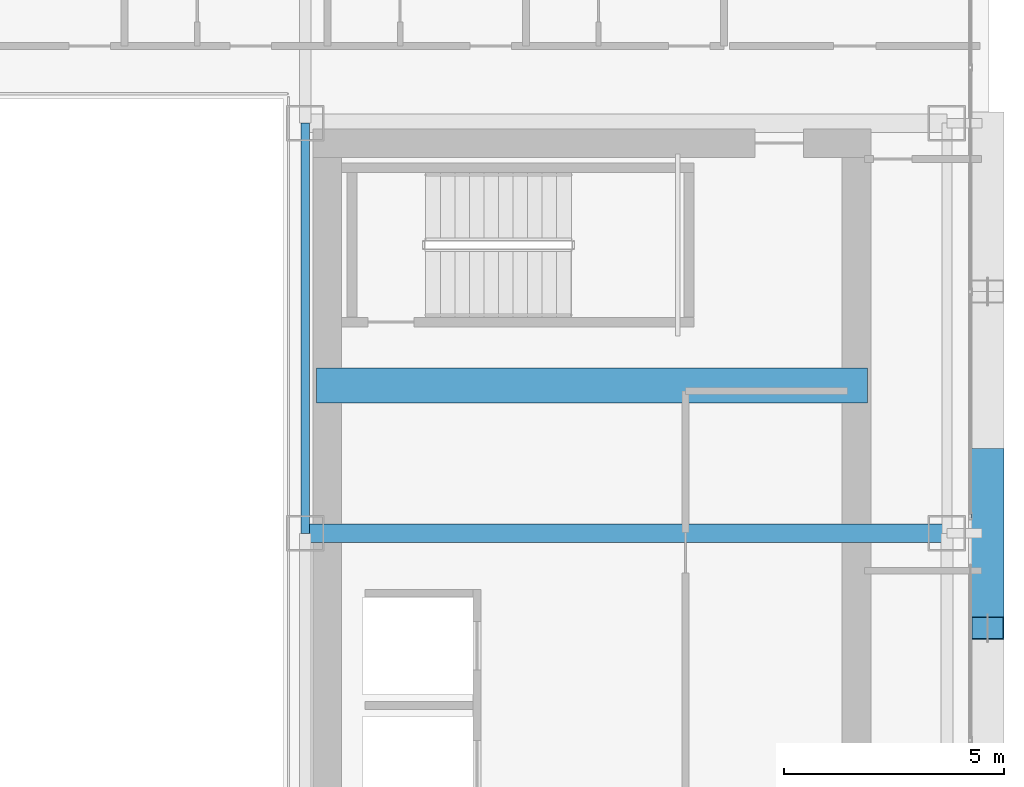
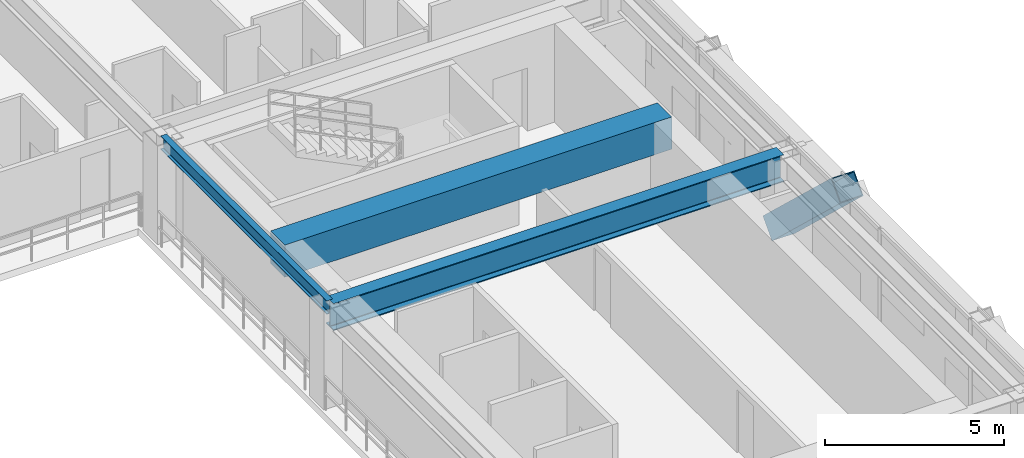
# One storey, part 14 of 36: 3 beams, 1 member.
"""IFC4 building model written with IfcOpenShell, lengths in metres."""

import ifcopenshell
import ifcopenshell.guid

model = None  # the IFC model being written
_history = None  # IfcOwnerHistory: only IFC2X3 demands one
_inside = {}  # id of a spatial element -> (the spatial element, [elements in it])
_under = {}  # id of a project, library or spatial element -> (it, [spatial elements below it])
_declared = {}  # id of a project -> (the project, [libraries it declares])
_typed = {}  # id of a type object -> (the type object, [elements of that type])
_made_of = {}  # id of a material, layer set ... -> (it, [elements and type objects made of it])


def new_model(schema):
    """Start an empty IFC model of exactly this schema.

    Asked for "IFC4X3", IfcOpenShell would pick the latest addendum, in which some entities
    have other attributes; the version numbers below select the first issue.
    IFC2X3 requires an IfcOwnerHistory on every rooted entity: one is made here for all.
    """
    global model, _history
    if schema == "IFC4X3":
        model = ifcopenshell.file(schema_version=(4, 3, 0, 0))
    else:
        model = ifcopenshell.file(schema=schema)
    _inside.clear()
    _under.clear()
    _declared.clear()
    _typed.clear()
    _made_of.clear()
    _history = None
    if model.schema == "IFC2X3":
        org = make("IfcOrganization", Name="unknown")
        user = make(
            "IfcPersonAndOrganization",
            ThePerson=make("IfcPerson", FamilyName="unknown"),
            TheOrganization=org,
        )
        app = make(
            "IfcApplication",
            ApplicationDeveloper=org,
            Version="unknown",
            ApplicationFullName="unknown",
            ApplicationIdentifier="unknown",
        )
        _history = make(
            "IfcOwnerHistory",
            OwningUser=user,
            OwningApplication=app,
            ChangeAction="ADDED",
            CreationDate=0,
        )
    return model


def make(cls, **values):
    """One entity of the class cls with the attributes given. An attribute that is None is left unset."""
    return model.create_entity(
        cls, **{name: value for name, value in values.items() if value is not None}
    )


def rooted(cls, **values):
    """An entity with a GlobalId (a new one), such as an element, a storey or a relation."""
    return make(cls, GlobalId=ifcopenshell.guid.new(), OwnerHistory=_history, **values)


def si_unit(unit_type, name, prefix=None):
    """IfcSIUnit, for example si_unit("LENGTHUNIT", "METRE", prefix="MILLI")."""
    return make("IfcSIUnit", UnitType=unit_type, Prefix=prefix, Name=name)


def assignment(units):
    """IfcUnitAssignment: the units of a project."""
    return None if units is None else make("IfcUnitAssignment", Units=units)


def point(xyz):
    """IfcCartesianPoint."""
    return None if xyz is None else make("IfcCartesianPoint", Coordinates=xyz)


def direction(xyz):
    """IfcDirection."""
    return None if xyz is None else make("IfcDirection", DirectionRatios=xyz)


def frame(location, z_axis=None, x_axis=None):
    """IfcAxis2Placement3D, a coordinate frame: its origin and axes. An axis left out is left unset."""
    return make(
        "IfcAxis2Placement3D",
        Location=point(location),
        Axis=direction(z_axis),
        RefDirection=direction(x_axis),
    )


def frame_2d(location, x_axis=None):
    """IfcAxis2Placement2D, a coordinate frame in the plane: its origin and x axis."""
    return make(
        "IfcAxis2Placement2D", Location=point(location), RefDirection=direction(x_axis)
    )


def origin():
    """The frame at (0, 0, 0) with its axes left unset."""
    return frame((0.0, 0.0, 0.0))


def origin_2d():
    """The frame at (0, 0) in the plane with its x axis left unset."""
    return frame_2d((0.0, 0.0))


def place(relative_to, where):
    """IfcLocalPlacement: puts the frame where relative to a parent placement (None: the world)."""
    return make(
        "IfcLocalPlacement", PlacementRelTo=relative_to, RelativePlacement=where
    )


def context(
    kind, dimensions, precision=None, world=None, true_north=None, identifier=None
):
    """IfcGeometricRepresentationContext, for example the 3D "Model" context."""
    return make(
        "IfcGeometricRepresentationContext",
        ContextIdentifier=identifier,
        ContextType=kind,
        CoordinateSpaceDimension=dimensions,
        Precision=precision,
        WorldCoordinateSystem=world,
        TrueNorth=true_north,
    )


def subcontext(parent, identifier, kind, view, scale=None):
    """IfcGeometricRepresentationSubContext, for example "Body" below "Model"."""
    return make(
        "IfcGeometricRepresentationSubContext",
        ContextIdentifier=identifier,
        ContextType=kind,
        ParentContext=parent,
        TargetScale=scale,
        TargetView=view,
    )


def project(units=None, contexts=None):
    """IfcProject with its units and contexts."""
    return rooted(
        "IfcProject",
        Name="project",
        RepresentationContexts=contexts,
        UnitsInContext=assignment(units),
    )


def spatial(cls, under=None, at=None, **own):
    """A site, building, storey or space (cls), placed at a placement, below another one or the project."""
    s = rooted(cls, ObjectPlacement=at, **own)
    if under is not None:
        _under.setdefault(under.id(), (under, []))[1].append(s)
    return s


def profile(cls, at=None, kind="AREA", **sizes):
    """A parametric profile (cls). Its sizes go by their IFC names, for example OverallWidth=200.0."""
    return make(cls, ProfileType=kind, Position=at, **sizes)


def rectangle(**sizes):
    """IfcRectangleProfileDef."""
    return profile("IfcRectangleProfileDef", **sizes)


def hollow_rectangle(**sizes):
    """IfcRectangleHollowProfileDef."""
    return profile("IfcRectangleHollowProfileDef", **sizes)


def i_section(**sizes):
    """IfcIShapeProfileDef."""
    return profile("IfcIShapeProfileDef", **sizes)


def extrude(swept, where, along, depth):
    """IfcExtrudedAreaSolid: the profile swept, set in the frame where, extruded along a direction by depth."""
    return make(
        "IfcExtrudedAreaSolid",
        SweptArea=swept,
        Position=where,
        ExtrudedDirection=direction(along),
        Depth=depth,
    )


def shape(context_of_items, identifier, shape_type, items):
    """IfcShapeRepresentation: the items that make up one representation, for example the "Body"."""
    return make(
        "IfcShapeRepresentation",
        ContextOfItems=context_of_items,
        RepresentationIdentifier=identifier,
        RepresentationType=shape_type,
        Items=items,
    )


def source(mapping_origin, context_of_items, identifier, shape_type, items):
    """IfcRepresentationMap: a shape defined once, which mapped items show again and again."""
    return make(
        "IfcRepresentationMap",
        MappingOrigin=mapping_origin,
        MappedRepresentation=shape(context_of_items, identifier, shape_type, items),
    )


def transform(
    local_origin,
    x_axis=None,
    y_axis=None,
    z_axis=None,
    scale=None,
    scale2=None,
    scale3=None,
    uniform=True,
):
    """IfcCartesianTransformationOperator3D, or its non-uniform kind. x_axis, y_axis, z_axis: its Axis1, 2, 3."""
    if uniform:
        return make(
            "IfcCartesianTransformationOperator3D",
            Axis1=direction(x_axis),
            Axis2=direction(y_axis),
            LocalOrigin=point(local_origin),
            Scale=scale,
            Axis3=direction(z_axis),
        )
    return make(
        "IfcCartesianTransformationOperator3DnonUniform",
        Axis1=direction(x_axis),
        Axis2=direction(y_axis),
        LocalOrigin=point(local_origin),
        Scale=scale,
        Axis3=direction(z_axis),
        Scale2=scale2,
        Scale3=scale3,
    )


def mapped(mapping_source, mapping_target):
    """IfcMappedItem: shows the shape of a source again, moved by a transform."""
    return make(
        "IfcMappedItem", MappingSource=mapping_source, MappingTarget=mapping_target
    )


def material(Name=None, Category=None):
    """IfcMaterial."""
    return make("IfcMaterial", Name=Name, Category=Category)


def material_profile(
    of_material, cross_section, Name=None, Category=None, Priority=None
):
    """IfcMaterialProfile: a cross section and its material."""
    return make(
        "IfcMaterialProfile",
        Name=Name,
        Material=of_material,
        Profile=cross_section,
        Priority=Priority,
        Category=Category,
    )


def profile_set(profiles, Name=None, composite=None):
    """IfcMaterialProfileSet."""
    return make(
        "IfcMaterialProfileSet",
        Name=Name,
        MaterialProfiles=profiles,
        CompositeProfile=composite,
    )


def made_of(thing, what):
    """Note that an element or type object is made of a material, layer set ...; save() writes the relation."""
    if what is not None:
        _made_of.setdefault(what.id(), (what, []))[1].append(thing)
    return thing


def type_object(cls, material=None, **own):
    """A type object (cls), such as IfcWallType, which elements share."""
    return made_of(rooted(cls, **own), material)


def element(
    cls,
    number,
    at=None,
    inside=None,
    cuts=None,
    type_object=None,
    material=None,
    context=None,
    identifier="Body",
    shape_type=None,
    held_by="IfcProductDefinitionShape",
    body=None,
    shapes=None,
    **own,
):
    """One element of the class cls, such as IfcWall. Its Tag is "e" and its number.

    at: its placement. inside: the storey or other place that contains it. cuts: it is an
    opening in that element (IfcRelVoidsElement). A single representation is given by context,
    identifier, shape_type and body (its items); several are given by shapes. held_by: the class
    of the entity that holds the representations. save() writes the other relations.
    """
    e = rooted(cls, Tag="e%d" % number, ObjectPlacement=at, **own)
    if body is not None:
        shapes = [shape(context, identifier, shape_type, body)]
    if shapes is not None:
        e.Representation = make(held_by, Representations=shapes)
    if inside is not None:
        _inside.setdefault(inside.id(), (inside, []))[1].append(e)
    if cuts is not None:
        rooted(
            "IfcRelVoidsElement", RelatingBuildingElement=cuts, RelatedOpeningElement=e
        )
    if type_object is not None:
        _typed.setdefault(type_object.id(), (type_object, []))[1].append(e)
    return made_of(e, material)


def aggregate(whole, parts):
    """IfcRelAggregates: a whole, such as a stair, and the parts it consists of."""
    return rooted("IfcRelAggregates", RelatingObject=whole, RelatedObjects=parts)


def save(model, path):
    """Write the relations noted so far, then the file.

    IfcRelAggregates (storeys below a building ...), IfcRelContainedInSpatialStructure (elements
    in a storey), IfcRelDefinesByType, IfcRelAssociatesMaterial and IfcRelDeclares: one each for
    every whole, place, type object, material and project.
    """
    for whole, parts in _under.values():
        aggregate(whole, parts)
    for where, things in _inside.values():
        rooted(
            "IfcRelContainedInSpatialStructure",
            RelatedElements=things,
            RelatingStructure=where,
        )
    for kind, things in _typed.values():
        rooted("IfcRelDefinesByType", RelatedObjects=things, RelatingType=kind)
    for what, things in _made_of.values():
        rooted("IfcRelAssociatesMaterial", RelatedObjects=things, RelatingMaterial=what)
    for by, libraries in _declared.values():
        rooted("IfcRelDeclares", RelatingContext=by, RelatedDefinitions=libraries)
    model.write(path)


model = new_model("IFC4")

# Units and contexts
model_context = context("Model", 3, precision=1e-05, world=origin(), true_north=direction((0.0, 1.0)))
body_context = subcontext(model_context, "Body", "Model", "MODEL_VIEW")
ifc_project = project(units=[si_unit("LENGTHUNIT", "METRE"), si_unit("AREAUNIT", "SQUARE_METRE"), si_unit("VOLUMEUNIT", "CUBIC_METRE"), si_unit("PLANEANGLEUNIT", "RADIAN"), si_unit("MASSUNIT", "GRAM", prefix="KILO")], contexts=[model_context])

# Site, building, storey
site_placement = place(None, origin())
site = spatial("IfcSite", under=ifc_project, at=site_placement, CompositionType="ELEMENT")
building_placement = place(site_placement, origin())
building = spatial("IfcBuilding", under=site, at=building_placement, Name="Ocotamira Hotel", CompositionType="ELEMENT")
storey_placement = place(building_placement, frame((0.0, 0.0, 133.199951171875)))
storey = spatial("IfcBuildingStorey", under=building, at=storey_placement, Name="L33", CompositionType="ELEMENT", Elevation=133.199951171875)

# Beams
ifc_material_1 = material(Name="Concrete C60/75", Category="concrete")
ifc_material_profile_1 = material_profile(ifc_material_1, rectangle(XDim=0.800048828125, YDim=1.10009765625, at=origin_2d()), Name="RC800X1100")
ifc_profile_set_1 = profile_set([ifc_material_profile_1], Name="Concrete C60/75")
beam_type_1 = type_object("IfcBeamType", Name="BM-LINK-RC800", PredefinedType="LINTEL", material=ifc_profile_set_1)
shared_shape_1 = source(origin(), body_context, "Body", "SweptSolid", [
    extrude(rectangle(XDim=0.800048828125, YDim=1.10009765625, at=origin_2d()), origin(), (0.0, 0.0, 1.0), 12.5),
])
beam_1_placement = place(storey_placement, frame((40.75, 31.5, 2.81005859375), z_axis=(1.0, 0.0, 0.0), x_axis=(0.0, 1.0, 0.0)))
element("IfcBeam", 1, at=beam_1_placement, inside=storey, type_object=beam_type_1, Name="L33 East Core Coupling Beam", PredefinedType="LINTEL", context=body_context, shape_type="MappedRepresentation", body=[
    mapped(shared_shape_1, transform((0.0, 0.0, 0.0), scale=1.0)),
])
ifc_material_2 = material(Name="Steel ASTM A992 Grade 50", Category="steel")
ifc_material_profile_2 = material_profile(ifc_material_2, i_section(OverallWidth=0.41796875, OverallDepth=0.927001953125, WebThickness=0.019287109375, FlangeThickness=0.031982421875, FilletRadius=0.02392578125, at=origin_2d()), Name="W36X231")
ifc_profile_set_2 = profile_set([ifc_material_profile_2], Name="Steel ASTM A992 Grade 50")
beam_type_2 = type_object("IfcBeamType", Name="BM-GIRD-W36X231", PredefinedType="BEAM", material=ifc_profile_set_2)
shared_shape_2 = source(origin(), body_context, "Body", "SweptSolid", [
    extrude(i_section(OverallWidth=0.41796875, OverallDepth=0.927001953125, WebThickness=0.019287109375, FlangeThickness=0.031982421875, FilletRadius=0.02392578125, at=origin_2d()), origin(), (0.0, 0.0, 1.0), 14.550048828125),
])
beam_2_placement = place(storey_placement, frame((40.5, 28.14990234375, 2.896484375), z_axis=(1.0, 0.0, 0.0), x_axis=(0.0, 1.0, 0.0)))
element("IfcBeam", 2, at=beam_2_placement, inside=storey, type_object=beam_type_2, Name="L33 Girder Y28.15 X40.5-55.05", PredefinedType="BEAM", context=body_context, shape_type="MappedRepresentation", body=[
    mapped(shared_shape_2, transform((0.0, 0.0, 0.0), scale=1.0)),
])
ifc_material_profile_3 = material_profile(ifc_material_2, i_section(OverallWidth=0.18994140625, OverallDepth=0.45703125, WebThickness=0.009033203125, FlangeThickness=0.014404296875, FilletRadius=0.010009765625, at=origin_2d()), Name="W18X50")
ifc_profile_set_3 = profile_set([ifc_material_profile_3], Name="Steel ASTM A992 Grade 50")
beam_type_3 = type_object("IfcBeamType", Name="BM-SEC-W18X50", PredefinedType="JOIST", material=ifc_profile_set_3)
shared_shape_3 = source(origin(), body_context, "Body", "SweptSolid", [
    extrude(i_section(OverallWidth=0.18994140625, OverallDepth=0.45703125, WebThickness=0.009033203125, FlangeThickness=0.014404296875, FilletRadius=0.010009765625, at=origin_2d()), origin(), (0.0, 0.0, 1.0), 9.300048828125),
])
beam_3_placement = place(storey_placement, frame((40.5, 28.14990234375, 3.131591796875), z_axis=(0.0, 1.0, 0.0), x_axis=(-1.0, 0.0, 0.0)))
element("IfcBeam", 3, at=beam_3_placement, inside=storey, type_object=beam_type_3, Name="L33 Beam X40.5 Y28.15-37.45", PredefinedType="JOIST", context=body_context, shape_type="MappedRepresentation", body=[
    mapped(shared_shape_3, transform((0.0, 0.0, 0.0), scale=1.0)),
])

# Member
ifc_material_3 = material(Name="Pale-metal coated steel ASTM A913 Grade 65", Category="steel")
ifc_material_profile_4 = material_profile(ifc_material_3, hollow_rectangle(XDim=0.75, YDim=0.75, WallThickness=0.028076171875, at=origin_2d()), Name="BOX750X750X28")
ifc_profile_set_4 = profile_set([ifc_material_profile_4], Name="Pale-metal coated steel ASTM A913 Grade 65")
member_type = type_object("IfcMemberType", Name="MEM-EXO-BOX750", PredefinedType="BRACE", material=ifc_profile_set_4)
shared_shape_4 = source(origin(), body_context, "Body", "SweptSolid", [
    extrude(hollow_rectangle(XDim=0.75, YDim=0.75, WallThickness=0.028076171875, at=origin_2d()), origin(), (0.0, 0.0, 1.0), 5.24658203125),
])
member_placement = place(storey_placement, frame((55.969970703125, 29.816650390625, -0.489990234375), z_axis=(0.0, -0.727442733726, 0.686168397078), x_axis=(1.0, 0.0, 0.0)))
element("IfcMember", 4, at=member_placement, inside=storey, type_object=member_type, Name="L33 Exoskeleton Diagrid E1.2", PredefinedType="BRACE", context=body_context, shape_type="MappedRepresentation", body=[
    mapped(shared_shape_4, transform((0.0, 0.0, 0.0), scale=1.0)),
])

save(model, "model.ifc")
